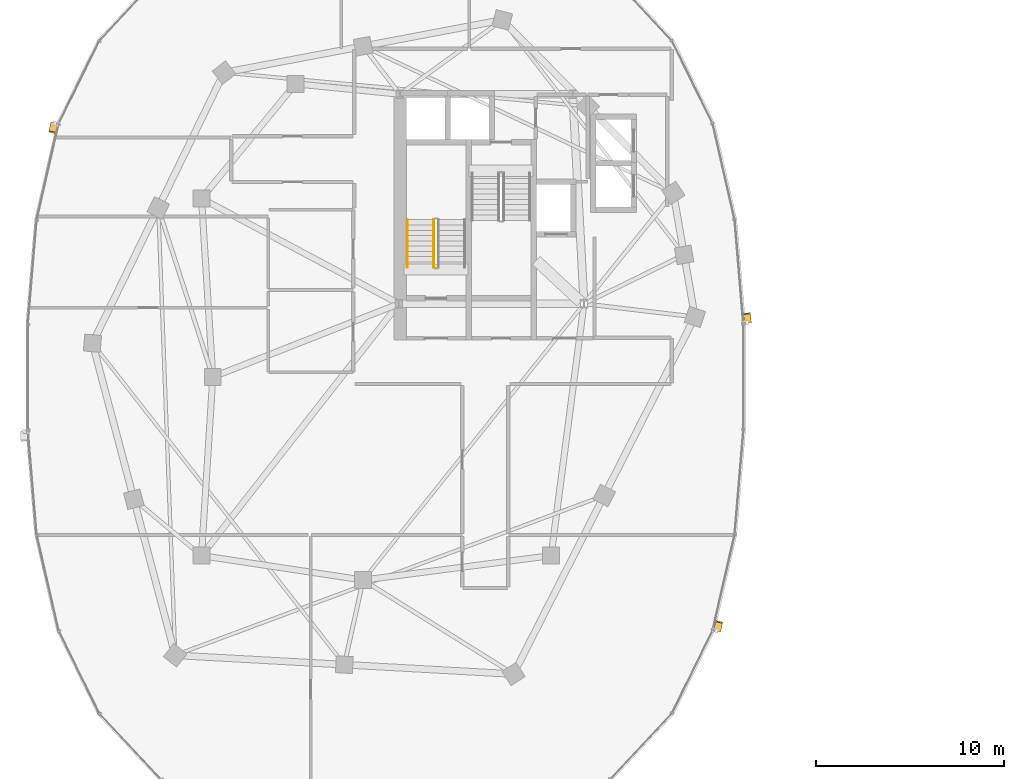
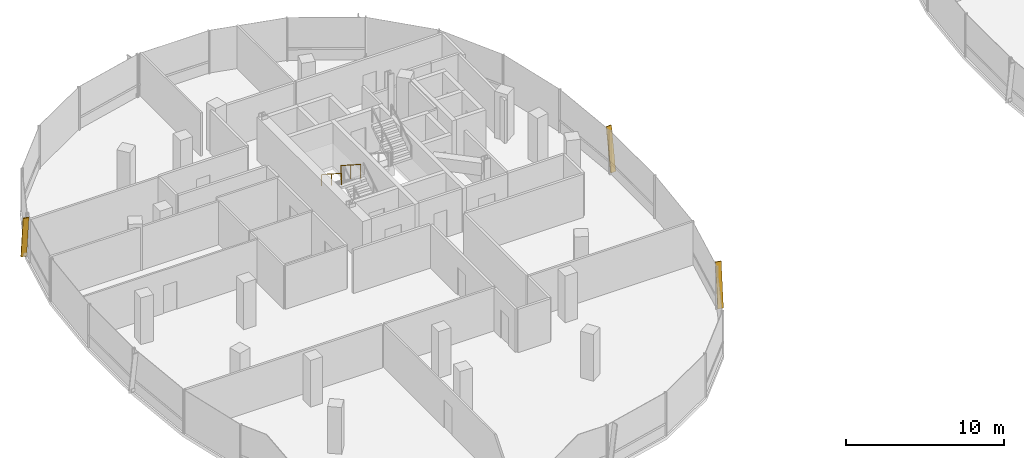
# One storey, part 22 of 25: 3 shading devices, 2 railings.
"""IFC4 building model written with IfcOpenShell, lengths in metres."""

from ifc_helpers import new_model, si_unit, direction, frame, origin, origin_2d, place, context, subcontext, project, spatial, rectangle, extrude, material, material_profile, profile_set, type_object, element, save


model = new_model("IFC4")

# Units and contexts
model_context = context("Model", 3, precision=1e-05, world=origin(), true_north=direction((0.0, 1.0)))
body_context = subcontext(model_context, "Body", "Model", "MODEL_VIEW")
ifc_project = project(units=[si_unit("LENGTHUNIT", "METRE"), si_unit("AREAUNIT", "SQUARE_METRE"), si_unit("VOLUMEUNIT", "CUBIC_METRE"), si_unit("PLANEANGLEUNIT", "RADIAN"), si_unit("MASSUNIT", "GRAM", prefix="KILO"), si_unit("THERMODYNAMICTEMPERATUREUNIT", "KELVIN"), si_unit("POWERUNIT", "WATT")], contexts=[model_context])

# Site, building, storey
site_placement = place(None, origin())
site = spatial("IfcSite", under=ifc_project, at=site_placement, CompositionType="ELEMENT")
building_placement = place(site_placement, origin())
building = spatial("IfcBuilding", under=site, at=building_placement, Name="Cundina Bronze Exchange", CompositionType="ELEMENT")
storey_placement = place(building_placement, frame((0.0, 0.0, 206.199951171875)))
storey = spatial("IfcBuildingStorey", under=building, at=storey_placement, Name="L54", CompositionType="ELEMENT", Elevation=206.199951171875)

# Railings
ifc_material_1 = material(Name="Steel ASTM A36 Painted", Category="steel")
railing_type_1 = type_object("IfcRailingType", Name="RLG-HND-900", PredefinedType="HANDRAIL", material=ifc_material_1)
railing_1_placement = place(storey_placement, frame((-30.85009765625, 8.3701171875, 1.97998046875)))
element("IfcRailing", 1, at=railing_1_placement, inside=storey, type_object=railing_type_1, Name="L54 ST-W1 stair handrail 2", PredefinedType="HANDRAIL", context=body_context, shape_type="SweptSolid", body=[
    extrude(rectangle(XDim=0.048095703125, YDim=0.048095703125, at=origin_2d()), frame((0.0, 0.0, 0.8759765625), z_axis=(0.0, -0.841162588446, 0.540782303519), x_axis=(1.0, 0.0, 0.0)), (0.0, 0.0, 1.0), 2.995849609375),
    extrude(rectangle(XDim=0.0419921875, YDim=0.0419921875, at=origin_2d()), origin(), (0.0, 0.0, 1.0), 0.851806640625),
    extrude(rectangle(XDim=0.0419921875, YDim=0.0419921875, at=origin_2d()), frame((0.0, -1.260009765625, 0.81005859375)), (0.0, 0.0, 1.0), 0.851806640625),
    extrude(rectangle(XDim=0.0419921875, YDim=0.0419921875, at=origin_2d()), frame((0.0, -2.52001953125, 1.6201171875)), (0.0, 0.0, 1.0), 0.851806640625),
])
railing_type_2 = type_object("IfcRailingType", Name="RLG-STG-1100", PredefinedType="GUARDRAIL", material=ifc_material_1)
railing_2_placement = place(storey_placement, frame((-29.449951171875, 8.3701171875, 1.97998046875)))
element("IfcRailing", 2, at=railing_2_placement, inside=storey, type_object=railing_type_2, Name="L54 ST-W1 stair guard 3", PredefinedType="GUARDRAIL", context=body_context, shape_type="SweptSolid", body=[
    extrude(rectangle(XDim=0.048095703125, YDim=0.048095703125, at=origin_2d()), frame((0.0, 0.0, 1.076171875), z_axis=(0.0, -0.841162588446, 0.540782303519), x_axis=(1.0, 0.0, 0.0)), (0.0, 0.0, 1.0), 2.995849609375),
    extrude(rectangle(XDim=0.0419921875, YDim=0.0419921875, at=origin_2d()), origin(), (0.0, 0.0, 1.0), 1.052001953125),
    extrude(rectangle(XDim=0.0419921875, YDim=0.0419921875, at=origin_2d()), frame((0.0, -1.260009765625, 0.81005859375)), (0.0, 0.0, 1.0), 1.052001953125),
    extrude(rectangle(XDim=0.0419921875, YDim=0.0419921875, at=origin_2d()), frame((0.0, -2.52001953125, 1.6201171875)), (0.0, 0.0, 1.0), 1.052001953125),
])

# Shading devices
ifc_material_2 = material(Name="Anodised Bronze Aluminium 6063-T6", Category="aluminium")
ifc_material_profile = material_profile(ifc_material_2, rectangle(XDim=0.070068359375, YDim=0.3798828125, at=origin_2d()), Name="FIN70X380", Category="aluminium")
ifc_profile_set = profile_set([ifc_material_profile], Name="Anodised Bronze Aluminium 6063-T6")
shading_device_type = type_object("IfcShadingDeviceType", Name="SHD-FIN-BRZ380", PredefinedType="USERDEFINED", material=ifc_profile_set)
for number, where, z_axis, x_axis, name in (
    (3, (-12.735595703125, 2.90283203125, 0.02001953125), (-0.012006555776, 0.143419772964, 0.98958911238), (0.082555834947, -0.986139516224, 0.143921466983), "L54 Diagonal Bronze Solar Fin 1"),
    (4, (-49.636962890625, 13.4931640625, 0.02001953125), (-0.032139238682, -0.140343782583, 0.989581068951), (0.220899412839, 0.964610875656, 0.14397676192), "L54 Diagonal Bronze Solar Fin 5"),
    (5, (-14.363037109375, -13.4931640625, 0.02001953125), (0.032139238682, 0.140343782583, 0.989581068951), (-0.220899412839, -0.964610875656, 0.14397676192), "L54 Diagonal Bronze Solar Fin 5"),
):
    element("IfcShadingDevice", number, at=place(storey_placement, frame(where, z_axis=z_axis, x_axis=x_axis)), inside=storey, type_object=shading_device_type, Name=name, ObjectType="FIN", PredefinedType="USERDEFINED", context=body_context, shape_type="SweptSolid", body=[
        extrude(rectangle(XDim=0.070068359375, YDim=0.3798828125, at=origin_2d()), origin(), (0.0, 0.0, 1.0), 3.334716796875),
    ])

save(model, "model.ifc")
